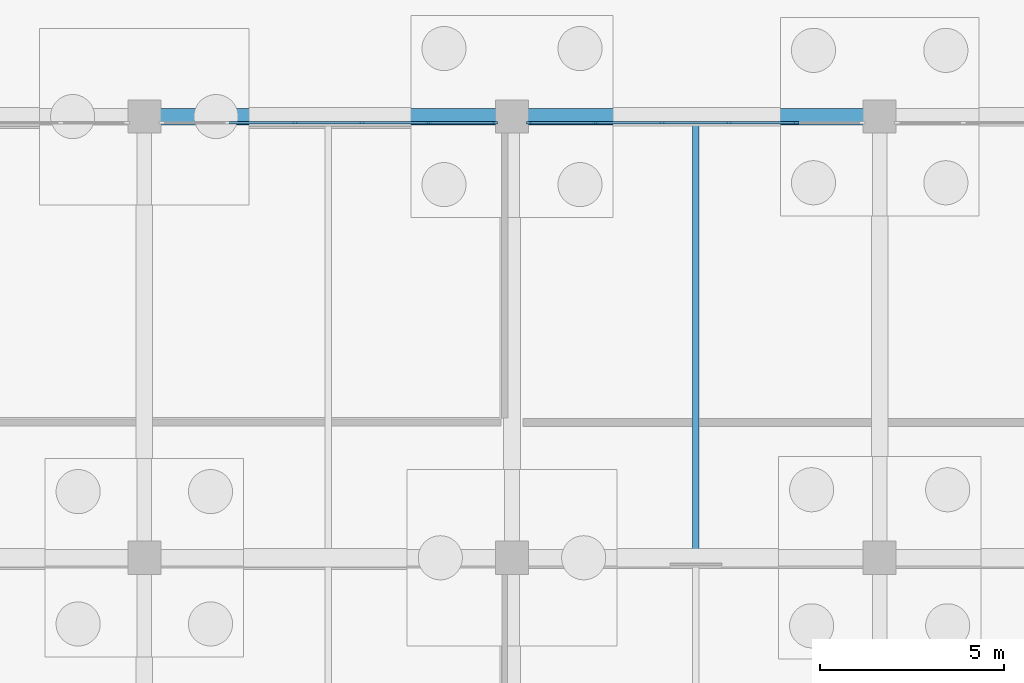
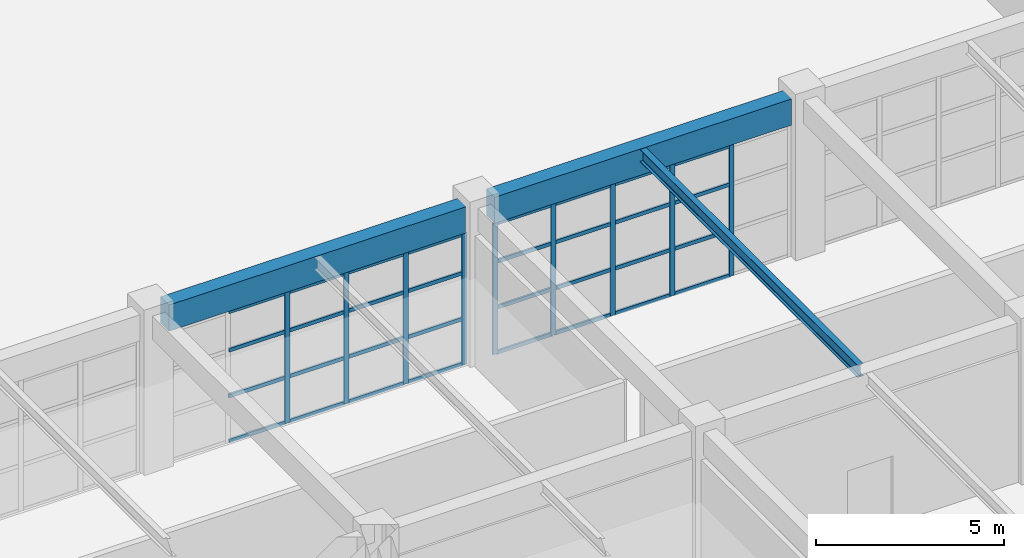
# One storey, part 55 of 99: 41 members, 3 beams, 2 elements without a shape of their own.
"""IFC4 building model written with IfcOpenShell, lengths in metres."""

from ifc_helpers import new_model, si_unit, direction, frame, origin, origin_2d, place, context, subcontext, project, spatial, rectangle, i_section, extrude, material, layer, layer_set, material_profile, profile_set, type_object, element, aggregate, save


model = new_model("IFC4")

# Units and contexts
model_context = context("Model", 3, precision=1e-05, world=origin(), true_north=direction((0.0, 1.0)))
body_context = subcontext(model_context, "Body", "Model", "MODEL_VIEW")
ifc_project = project(units=[si_unit("LENGTHUNIT", "METRE"), si_unit("AREAUNIT", "SQUARE_METRE"), si_unit("VOLUMEUNIT", "CUBIC_METRE"), si_unit("PLANEANGLEUNIT", "RADIAN"), si_unit("MASSUNIT", "GRAM", prefix="KILO")], contexts=[model_context])

# Site, building, storey
site_placement = place(None, origin())
site = spatial("IfcSite", under=ifc_project, at=site_placement, CompositionType="ELEMENT")
building_placement = place(site_placement, origin())
building = spatial("IfcBuilding", under=site, at=building_placement, Name="Kivolera Central Railway Station", CompositionType="ELEMENT")
storey_placement = place(building_placement, origin())
storey = spatial("IfcBuildingStorey", under=building, at=storey_placement, Name="L00", CompositionType="ELEMENT", Elevation=0.0)

# Beams
ifc_material_1 = material(Name="Steel S355", Category="steel")
ifc_material_profile_1 = material_profile(ifc_material_1, i_section(OverallWidth=0.179931640625, OverallDepth=0.39990234375, WebThickness=0.008544921875, FlangeThickness=0.013427734375, FilletRadius=0.02099609375, at=origin_2d()), Name="IPE 400")
ifc_profile_set_1 = profile_set([ifc_material_profile_1], Name="Steel S355")
beam_type_1 = type_object("IfcBeamType", Name="BM-JST-IPE400", PredefinedType="JOIST", material=ifc_profile_set_1)
beam_placement = place(storey_placement, frame((163.0, 66.217041015625, 4.907958984375), z_axis=(0.0, 1.0, 0.0), x_axis=(-1.0, 0.0, 0.0)))
element("IfcBeam", 1, at=beam_placement, inside=storey, type_object=beam_type_1, Name="L00 Floor Joist 16-17/F-G", PredefinedType="JOIST", context=body_context, shape_type="SweptSolid", body=[
    extrude(i_section(OverallWidth=0.179931640625, OverallDepth=0.39990234375, WebThickness=0.008544921875, FlangeThickness=0.013427734375, FilletRadius=0.02099609375, at=origin_2d()), origin(), (0.0, 0.0, 1.0), 11.56591796875),
])
ifc_material_2 = material(Name="Concrete C40/50", Category="concrete")
ifc_material_profile_2 = material_profile(ifc_material_2, rectangle(XDim=0.449951171875, YDim=0.85009765625, at=origin_2d()), Name="RC 450x850")
ifc_profile_set_2 = profile_set([ifc_material_profile_2], Name="Concrete C40/50")
beam_type_2 = type_object("IfcBeamType", Name="BM-RC-450x850", PredefinedType="BEAM", material=ifc_profile_set_2)
for number, where, z_axis, x_axis, name in (
    (2, (148.44189453125, 78.0, 4.695068359375), (1.0, 0.0, 0.0), (0.0, 1.0, 0.0), "L00 Wing X-Beam G:15-16"),
    (3, (158.44189453125, 78.0, 4.695068359375), (1.0, 0.0, 0.0), (0.0, 1.0, 0.0), "L00 Wing X-Beam G:16-17"),
):
    element("IfcBeam", number, at=place(storey_placement, frame(where, z_axis=z_axis, x_axis=x_axis)), inside=storey, type_object=beam_type_2, Name=name, PredefinedType="BEAM", context=body_context, shape_type="SweptSolid", body=[
        extrude(rectangle(XDim=0.449951171875, YDim=0.85009765625, at=origin_2d()), origin(), (0.0, 0.0, 1.0), 9.1162109375),
    ])

# Curtain wall, members
ifc_material_3 = material(Name="Anodised aluminium", Category="aluminium")
ifc_layer = layer(ifc_material_3, 0.179931640625, Name="Anodised aluminium")
ifc_layer_set = layer_set([ifc_layer], Name="Anodised aluminium")
curtain_wall_type = type_object("IfcCurtainWallType", Name="CW-SYS-21", PredefinedType="NOTDEFINED", material=ifc_layer_set)
curtain_wall_1_placement = place(storey_placement, origin())
curtain_wall_1 = element("IfcCurtainWall", 4, at=curtain_wall_1_placement, inside=storey, type_object=curtain_wall_type, Name="L00 Curtain Wall CW-L00-CRTS-148", PredefinedType="NOTDEFINED")
ifc_material_profile_3 = material_profile(ifc_material_3, rectangle(XDim=0.06005859375, YDim=0.14990234375, at=origin_2d()), Name="ALU MULL 60x150")
ifc_profile_set_3 = profile_set([ifc_material_profile_3], Name="Anodised aluminium")
member_type_1 = type_object("IfcMemberType", Name="CWM-MUL-2", PredefinedType="MULLION", material=ifc_profile_set_3)
member_1_placement = place(storey_placement, frame((152.089111328125, 77.830078125, -0.0048828125), z_axis=(0.0, 0.0, 1.0), x_axis=(0.0, 1.0, 0.0)))
member_1 = element("IfcMember", 5, at=member_1_placement, type_object=member_type_1, Name="CW-21 mullion 3", PredefinedType="MULLION", context=body_context, shape_type="SweptSolid", body=[
    extrude(rectangle(XDim=0.06005859375, YDim=0.14990234375, at=origin_2d()), origin(), (0.0, 0.0, 1.0), 4.262939453125),
])
member_2_placement = place(storey_placement, frame((153.910888671875, 77.830078125, -0.0048828125), z_axis=(0.0, 0.0, 1.0), x_axis=(0.0, 1.0, 0.0)))
member_2 = element("IfcMember", 6, at=member_2_placement, type_object=member_type_1, Name="CW-21 mullion 4", PredefinedType="MULLION", context=body_context, shape_type="SweptSolid", body=[
    extrude(rectangle(XDim=0.06005859375, YDim=0.14990234375, at=origin_2d()), origin(), (0.0, 0.0, 1.0), 4.262939453125),
])
member_3_placement = place(storey_placement, frame((155.73291015625, 77.830078125, -0.0048828125), z_axis=(0.0, 0.0, 1.0), x_axis=(0.0, 1.0, 0.0)))
member_3 = element("IfcMember", 7, at=member_3_placement, type_object=member_type_1, Name="CW-21 mullion 5", PredefinedType="MULLION", context=body_context, shape_type="SweptSolid", body=[
    extrude(rectangle(XDim=0.06005859375, YDim=0.14990234375, at=origin_2d()), origin(), (0.0, 0.0, 1.0), 4.262939453125),
])
member_4_placement = place(storey_placement, frame((157.52490234375, 77.830078125, -0.0048828125), z_axis=(0.0, 0.0, 1.0), x_axis=(0.0, 1.0, 0.0)))
member_4 = element("IfcMember", 8, at=member_4_placement, type_object=member_type_1, Name="CW-21 mullion 6", PredefinedType="MULLION", context=body_context, shape_type="SweptSolid", body=[
    extrude(rectangle(XDim=0.06005859375, YDim=0.14990234375, at=origin_2d()), origin(), (0.0, 0.0, 1.0), 4.262939453125),
])

curtain_wall_2_placement = place(storey_placement, origin())
curtain_wall_2 = element("IfcCurtainWall", 9, at=curtain_wall_2_placement, inside=storey, type_object=curtain_wall_type, Name="L00 Curtain Wall CW-L00-CRTS-158", PredefinedType="NOTDEFINED")
member_5_placement = place(storey_placement, frame((158.47509765625, 77.830078125, -0.0048828125), z_axis=(0.0, 0.0, 1.0), x_axis=(0.0, 1.0, 0.0)))
member_5 = element("IfcMember", 10, at=member_5_placement, type_object=member_type_1, Name="CW-21 mullion 1", PredefinedType="MULLION", context=body_context, shape_type="SweptSolid", body=[
    extrude(rectangle(XDim=0.06005859375, YDim=0.14990234375, at=origin_2d()), origin(), (0.0, 0.0, 1.0), 4.262939453125),
])
member_6_placement = place(storey_placement, frame((160.26708984375, 77.830078125, -0.0048828125), z_axis=(0.0, 0.0, 1.0), x_axis=(0.0, 1.0, 0.0)))
member_6 = element("IfcMember", 11, at=member_6_placement, type_object=member_type_1, Name="CW-21 mullion 2", PredefinedType="MULLION", context=body_context, shape_type="SweptSolid", body=[
    extrude(rectangle(XDim=0.06005859375, YDim=0.14990234375, at=origin_2d()), origin(), (0.0, 0.0, 1.0), 4.262939453125),
])
member_7_placement = place(storey_placement, frame((162.089111328125, 77.830078125, -0.0048828125), z_axis=(0.0, 0.0, 1.0), x_axis=(0.0, 1.0, 0.0)))
member_7 = element("IfcMember", 12, at=member_7_placement, type_object=member_type_1, Name="CW-21 mullion 3", PredefinedType="MULLION", context=body_context, shape_type="SweptSolid", body=[
    extrude(rectangle(XDim=0.06005859375, YDim=0.14990234375, at=origin_2d()), origin(), (0.0, 0.0, 1.0), 4.262939453125),
])
member_8_placement = place(storey_placement, frame((163.910888671875, 77.830078125, -0.0048828125), z_axis=(0.0, 0.0, 1.0), x_axis=(0.0, 1.0, 0.0)))
member_8 = element("IfcMember", 13, at=member_8_placement, type_object=member_type_1, Name="CW-21 mullion 4", PredefinedType="MULLION", context=body_context, shape_type="SweptSolid", body=[
    extrude(rectangle(XDim=0.06005859375, YDim=0.14990234375, at=origin_2d()), origin(), (0.0, 0.0, 1.0), 4.262939453125),
])
member_9_placement = place(storey_placement, frame((165.73291015625, 77.830078125, -0.0048828125), z_axis=(0.0, 0.0, 1.0), x_axis=(0.0, 1.0, 0.0)))
member_9 = element("IfcMember", 14, at=member_9_placement, type_object=member_type_1, Name="CW-21 mullion 5", PredefinedType="MULLION", context=body_context, shape_type="SweptSolid", body=[
    extrude(rectangle(XDim=0.06005859375, YDim=0.14990234375, at=origin_2d()), origin(), (0.0, 0.0, 1.0), 4.262939453125),
])

# Member
ifc_material_profile_4 = material_profile(ifc_material_3, rectangle(XDim=0.06005859375, YDim=0.1201171875, at=origin_2d()), Name="ALU TRAN 60x120")
ifc_profile_set_4 = profile_set([ifc_material_profile_4], Name="Anodised aluminium")
member_type_2 = type_object("IfcMemberType", Name="CWM-TRN-2", PredefinedType="USERDEFINED", material=ifc_profile_set_4)
member_10_placement = place(storey_placement, frame((150.297119140625, 77.830078125, 0.030029296875), z_axis=(1.0, 0.0, 0.0), x_axis=(0.0, 1.0, 0.0)))
member_10 = element("IfcMember", 15, at=member_10_placement, type_object=member_type_2, Name="CW-21 transom 2.1", ObjectType="TRANSOM", PredefinedType="USERDEFINED", context=body_context, shape_type="SweptSolid", body=[
    extrude(rectangle(XDim=0.06005859375, YDim=0.1201171875, at=origin_2d()), origin(), (0.0, 0.0, 1.0), 1.761962890625),
])

member_11_placement = place(storey_placement, frame((150.297119140625, 77.830078125, 1.490234375), z_axis=(1.0, 0.0, 0.0), x_axis=(0.0, 1.0, 0.0)))
member_11 = element("IfcMember", 16, at=member_11_placement, type_object=member_type_2, Name="CW-21 transom 2.2", ObjectType="TRANSOM", PredefinedType="USERDEFINED", context=body_context, shape_type="SweptSolid", body=[
    extrude(rectangle(XDim=0.06005859375, YDim=0.1201171875, at=origin_2d()), origin(), (0.0, 0.0, 1.0), 1.761962890625),
])

member_12_placement = place(storey_placement, frame((150.297119140625, 77.830078125, 2.980712890625), z_axis=(1.0, 0.0, 0.0), x_axis=(0.0, 1.0, 0.0)))
member_12 = element("IfcMember", 17, at=member_12_placement, type_object=member_type_2, Name="CW-21 transom 2.3", ObjectType="TRANSOM", PredefinedType="USERDEFINED", context=body_context, shape_type="SweptSolid", body=[
    extrude(rectangle(XDim=0.06005859375, YDim=0.1201171875, at=origin_2d()), origin(), (0.0, 0.0, 1.0), 1.761962890625),
])

member_13_placement = place(storey_placement, frame((150.297119140625, 77.830078125, 4.22802734375), z_axis=(1.0, 0.0, 0.0), x_axis=(0.0, 1.0, 0.0)))
member_13 = element("IfcMember", 18, at=member_13_placement, type_object=member_type_2, Name="CW-21 transom 2.4", ObjectType="TRANSOM", PredefinedType="USERDEFINED", context=body_context, shape_type="SweptSolid", body=[
    extrude(rectangle(XDim=0.06005859375, YDim=0.1201171875, at=origin_2d()), origin(), (0.0, 0.0, 1.0), 1.761962890625),
])

member_14_placement = place(storey_placement, frame((152.118896484375, 77.830078125, 0.030029296875), z_axis=(1.0, 0.0, 0.0), x_axis=(0.0, 1.0, 0.0)))
member_14 = element("IfcMember", 19, at=member_14_placement, type_object=member_type_2, Name="CW-21 transom 3.1", ObjectType="TRANSOM", PredefinedType="USERDEFINED", context=body_context, shape_type="SweptSolid", body=[
    extrude(rectangle(XDim=0.06005859375, YDim=0.1201171875, at=origin_2d()), origin(), (0.0, 0.0, 1.0), 1.76220703125),
])

member_15_placement = place(storey_placement, frame((152.118896484375, 77.830078125, 1.490234375), z_axis=(1.0, 0.0, 0.0), x_axis=(0.0, 1.0, 0.0)))
member_15 = element("IfcMember", 20, at=member_15_placement, type_object=member_type_2, Name="CW-21 transom 3.2", ObjectType="TRANSOM", PredefinedType="USERDEFINED", context=body_context, shape_type="SweptSolid", body=[
    extrude(rectangle(XDim=0.06005859375, YDim=0.1201171875, at=origin_2d()), origin(), (0.0, 0.0, 1.0), 1.76220703125),
])

member_16_placement = place(storey_placement, frame((152.118896484375, 77.830078125, 2.980712890625), z_axis=(1.0, 0.0, 0.0), x_axis=(0.0, 1.0, 0.0)))
member_16 = element("IfcMember", 21, at=member_16_placement, type_object=member_type_2, Name="CW-21 transom 3.3", ObjectType="TRANSOM", PredefinedType="USERDEFINED", context=body_context, shape_type="SweptSolid", body=[
    extrude(rectangle(XDim=0.06005859375, YDim=0.1201171875, at=origin_2d()), origin(), (0.0, 0.0, 1.0), 1.76220703125),
])

member_17_placement = place(storey_placement, frame((152.118896484375, 77.830078125, 4.22802734375), z_axis=(1.0, 0.0, 0.0), x_axis=(0.0, 1.0, 0.0)))
member_17 = element("IfcMember", 22, at=member_17_placement, type_object=member_type_2, Name="CW-21 transom 3.4", ObjectType="TRANSOM", PredefinedType="USERDEFINED", context=body_context, shape_type="SweptSolid", body=[
    extrude(rectangle(XDim=0.06005859375, YDim=0.1201171875, at=origin_2d()), origin(), (0.0, 0.0, 1.0), 1.76220703125),
])

member_18_placement = place(storey_placement, frame((153.94091796875, 77.830078125, 0.030029296875), z_axis=(1.0, 0.0, 0.0), x_axis=(0.0, 1.0, 0.0)))
member_18 = element("IfcMember", 23, at=member_18_placement, type_object=member_type_2, Name="CW-21 transom 4.1", ObjectType="TRANSOM", PredefinedType="USERDEFINED", context=body_context, shape_type="SweptSolid", body=[
    extrude(rectangle(XDim=0.06005859375, YDim=0.1201171875, at=origin_2d()), origin(), (0.0, 0.0, 1.0), 1.761962890625),
])

member_19_placement = place(storey_placement, frame((153.94091796875, 77.830078125, 1.490234375), z_axis=(1.0, 0.0, 0.0), x_axis=(0.0, 1.0, 0.0)))
member_19 = element("IfcMember", 24, at=member_19_placement, type_object=member_type_2, Name="CW-21 transom 4.2", ObjectType="TRANSOM", PredefinedType="USERDEFINED", context=body_context, shape_type="SweptSolid", body=[
    extrude(rectangle(XDim=0.06005859375, YDim=0.1201171875, at=origin_2d()), origin(), (0.0, 0.0, 1.0), 1.761962890625),
])

member_20_placement = place(storey_placement, frame((153.94091796875, 77.830078125, 2.980712890625), z_axis=(1.0, 0.0, 0.0), x_axis=(0.0, 1.0, 0.0)))
member_20 = element("IfcMember", 25, at=member_20_placement, type_object=member_type_2, Name="CW-21 transom 4.3", ObjectType="TRANSOM", PredefinedType="USERDEFINED", context=body_context, shape_type="SweptSolid", body=[
    extrude(rectangle(XDim=0.06005859375, YDim=0.1201171875, at=origin_2d()), origin(), (0.0, 0.0, 1.0), 1.761962890625),
])

member_21_placement = place(storey_placement, frame((153.94091796875, 77.830078125, 4.22802734375), z_axis=(1.0, 0.0, 0.0), x_axis=(0.0, 1.0, 0.0)))
member_21 = element("IfcMember", 26, at=member_21_placement, type_object=member_type_2, Name="CW-21 transom 4.4", ObjectType="TRANSOM", PredefinedType="USERDEFINED", context=body_context, shape_type="SweptSolid", body=[
    extrude(rectangle(XDim=0.06005859375, YDim=0.1201171875, at=origin_2d()), origin(), (0.0, 0.0, 1.0), 1.761962890625),
])

member_22_placement = place(storey_placement, frame((155.762939453125, 77.830078125, 0.030029296875), z_axis=(1.0, 0.0, 0.0), x_axis=(0.0, 1.0, 0.0)))
member_22 = element("IfcMember", 27, at=member_22_placement, type_object=member_type_2, Name="CW-21 transom 5.1", ObjectType="TRANSOM", PredefinedType="USERDEFINED", context=body_context, shape_type="SweptSolid", body=[
    extrude(rectangle(XDim=0.06005859375, YDim=0.1201171875, at=origin_2d()), origin(), (0.0, 0.0, 1.0), 1.732177734375),
])

member_23_placement = place(storey_placement, frame((155.762939453125, 77.830078125, 1.490234375), z_axis=(1.0, 0.0, 0.0), x_axis=(0.0, 1.0, 0.0)))
member_23 = element("IfcMember", 28, at=member_23_placement, type_object=member_type_2, Name="CW-21 transom 5.2", ObjectType="TRANSOM", PredefinedType="USERDEFINED", context=body_context, shape_type="SweptSolid", body=[
    extrude(rectangle(XDim=0.06005859375, YDim=0.1201171875, at=origin_2d()), origin(), (0.0, 0.0, 1.0), 1.732177734375),
])

member_24_placement = place(storey_placement, frame((155.762939453125, 77.830078125, 2.980712890625), z_axis=(1.0, 0.0, 0.0), x_axis=(0.0, 1.0, 0.0)))
member_24 = element("IfcMember", 29, at=member_24_placement, type_object=member_type_2, Name="CW-21 transom 5.3", ObjectType="TRANSOM", PredefinedType="USERDEFINED", context=body_context, shape_type="SweptSolid", body=[
    extrude(rectangle(XDim=0.06005859375, YDim=0.1201171875, at=origin_2d()), origin(), (0.0, 0.0, 1.0), 1.732177734375),
])

member_25_placement = place(storey_placement, frame((155.762939453125, 77.830078125, 4.22802734375), z_axis=(1.0, 0.0, 0.0), x_axis=(0.0, 1.0, 0.0)))
member_25 = element("IfcMember", 30, at=member_25_placement, type_object=member_type_2, Name="CW-21 transom 5.4", ObjectType="TRANSOM", PredefinedType="USERDEFINED", context=body_context, shape_type="SweptSolid", body=[
    extrude(rectangle(XDim=0.06005859375, YDim=0.1201171875, at=origin_2d()), origin(), (0.0, 0.0, 1.0), 1.732177734375),
])

aggregate(curtain_wall_1, [member_1, member_2, member_3, member_4, member_10, member_11, member_12, member_13, member_14, member_15, member_16, member_17, member_18, member_19, member_20, member_21, member_22, member_23, member_24, member_25])

member_26_placement = place(storey_placement, frame((158.5048828125, 77.830078125, 0.030029296875), z_axis=(1.0, 0.0, 0.0), x_axis=(0.0, 1.0, 0.0)))
member_26 = element("IfcMember", 31, at=member_26_placement, type_object=member_type_2, Name="CW-21 transom 1.1", ObjectType="TRANSOM", PredefinedType="USERDEFINED", context=body_context, shape_type="SweptSolid", body=[
    extrude(rectangle(XDim=0.06005859375, YDim=0.1201171875, at=origin_2d()), origin(), (0.0, 0.0, 1.0), 1.732177734375),
])

member_27_placement = place(storey_placement, frame((158.5048828125, 77.830078125, 1.490234375), z_axis=(1.0, 0.0, 0.0), x_axis=(0.0, 1.0, 0.0)))
member_27 = element("IfcMember", 32, at=member_27_placement, type_object=member_type_2, Name="CW-21 transom 1.2", ObjectType="TRANSOM", PredefinedType="USERDEFINED", context=body_context, shape_type="SweptSolid", body=[
    extrude(rectangle(XDim=0.06005859375, YDim=0.1201171875, at=origin_2d()), origin(), (0.0, 0.0, 1.0), 1.732177734375),
])

member_28_placement = place(storey_placement, frame((158.5048828125, 77.830078125, 2.980712890625), z_axis=(1.0, 0.0, 0.0), x_axis=(0.0, 1.0, 0.0)))
member_28 = element("IfcMember", 33, at=member_28_placement, type_object=member_type_2, Name="CW-21 transom 1.3", ObjectType="TRANSOM", PredefinedType="USERDEFINED", context=body_context, shape_type="SweptSolid", body=[
    extrude(rectangle(XDim=0.06005859375, YDim=0.1201171875, at=origin_2d()), origin(), (0.0, 0.0, 1.0), 1.732177734375),
])

member_29_placement = place(storey_placement, frame((158.5048828125, 77.830078125, 4.22802734375), z_axis=(1.0, 0.0, 0.0), x_axis=(0.0, 1.0, 0.0)))
member_29 = element("IfcMember", 34, at=member_29_placement, type_object=member_type_2, Name="CW-21 transom 1.4", ObjectType="TRANSOM", PredefinedType="USERDEFINED", context=body_context, shape_type="SweptSolid", body=[
    extrude(rectangle(XDim=0.06005859375, YDim=0.1201171875, at=origin_2d()), origin(), (0.0, 0.0, 1.0), 1.732177734375),
])

member_30_placement = place(storey_placement, frame((160.297119140625, 77.830078125, 0.030029296875), z_axis=(1.0, 0.0, 0.0), x_axis=(0.0, 1.0, 0.0)))
member_30 = element("IfcMember", 35, at=member_30_placement, type_object=member_type_2, Name="CW-21 transom 2.1", ObjectType="TRANSOM", PredefinedType="USERDEFINED", context=body_context, shape_type="SweptSolid", body=[
    extrude(rectangle(XDim=0.06005859375, YDim=0.1201171875, at=origin_2d()), origin(), (0.0, 0.0, 1.0), 1.761962890625),
])

member_31_placement = place(storey_placement, frame((160.297119140625, 77.830078125, 1.490234375), z_axis=(1.0, 0.0, 0.0), x_axis=(0.0, 1.0, 0.0)))
member_31 = element("IfcMember", 36, at=member_31_placement, type_object=member_type_2, Name="CW-21 transom 2.2", ObjectType="TRANSOM", PredefinedType="USERDEFINED", context=body_context, shape_type="SweptSolid", body=[
    extrude(rectangle(XDim=0.06005859375, YDim=0.1201171875, at=origin_2d()), origin(), (0.0, 0.0, 1.0), 1.761962890625),
])

member_32_placement = place(storey_placement, frame((160.297119140625, 77.830078125, 2.980712890625), z_axis=(1.0, 0.0, 0.0), x_axis=(0.0, 1.0, 0.0)))
member_32 = element("IfcMember", 37, at=member_32_placement, type_object=member_type_2, Name="CW-21 transom 2.3", ObjectType="TRANSOM", PredefinedType="USERDEFINED", context=body_context, shape_type="SweptSolid", body=[
    extrude(rectangle(XDim=0.06005859375, YDim=0.1201171875, at=origin_2d()), origin(), (0.0, 0.0, 1.0), 1.761962890625),
])

member_33_placement = place(storey_placement, frame((160.297119140625, 77.830078125, 4.22802734375), z_axis=(1.0, 0.0, 0.0), x_axis=(0.0, 1.0, 0.0)))
member_33 = element("IfcMember", 38, at=member_33_placement, type_object=member_type_2, Name="CW-21 transom 2.4", ObjectType="TRANSOM", PredefinedType="USERDEFINED", context=body_context, shape_type="SweptSolid", body=[
    extrude(rectangle(XDim=0.06005859375, YDim=0.1201171875, at=origin_2d()), origin(), (0.0, 0.0, 1.0), 1.761962890625),
])

member_34_placement = place(storey_placement, frame((162.118896484375, 77.830078125, 0.030029296875), z_axis=(1.0, 0.0, 0.0), x_axis=(0.0, 1.0, 0.0)))
member_34 = element("IfcMember", 39, at=member_34_placement, type_object=member_type_2, Name="CW-21 transom 3.1", ObjectType="TRANSOM", PredefinedType="USERDEFINED", context=body_context, shape_type="SweptSolid", body=[
    extrude(rectangle(XDim=0.06005859375, YDim=0.1201171875, at=origin_2d()), origin(), (0.0, 0.0, 1.0), 1.76220703125),
])

member_35_placement = place(storey_placement, frame((162.118896484375, 77.830078125, 1.490234375), z_axis=(1.0, 0.0, 0.0), x_axis=(0.0, 1.0, 0.0)))
member_35 = element("IfcMember", 40, at=member_35_placement, type_object=member_type_2, Name="CW-21 transom 3.2", ObjectType="TRANSOM", PredefinedType="USERDEFINED", context=body_context, shape_type="SweptSolid", body=[
    extrude(rectangle(XDim=0.06005859375, YDim=0.1201171875, at=origin_2d()), origin(), (0.0, 0.0, 1.0), 1.76220703125),
])

member_36_placement = place(storey_placement, frame((162.118896484375, 77.830078125, 2.980712890625), z_axis=(1.0, 0.0, 0.0), x_axis=(0.0, 1.0, 0.0)))
member_36 = element("IfcMember", 41, at=member_36_placement, type_object=member_type_2, Name="CW-21 transom 3.3", ObjectType="TRANSOM", PredefinedType="USERDEFINED", context=body_context, shape_type="SweptSolid", body=[
    extrude(rectangle(XDim=0.06005859375, YDim=0.1201171875, at=origin_2d()), origin(), (0.0, 0.0, 1.0), 1.76220703125),
])

member_37_placement = place(storey_placement, frame((162.118896484375, 77.830078125, 4.22802734375), z_axis=(1.0, 0.0, 0.0), x_axis=(0.0, 1.0, 0.0)))
member_37 = element("IfcMember", 42, at=member_37_placement, type_object=member_type_2, Name="CW-21 transom 3.4", ObjectType="TRANSOM", PredefinedType="USERDEFINED", context=body_context, shape_type="SweptSolid", body=[
    extrude(rectangle(XDim=0.06005859375, YDim=0.1201171875, at=origin_2d()), origin(), (0.0, 0.0, 1.0), 1.76220703125),
])

member_38_placement = place(storey_placement, frame((163.94091796875, 77.830078125, 0.030029296875), z_axis=(1.0, 0.0, 0.0), x_axis=(0.0, 1.0, 0.0)))
member_38 = element("IfcMember", 43, at=member_38_placement, type_object=member_type_2, Name="CW-21 transom 4.1", ObjectType="TRANSOM", PredefinedType="USERDEFINED", context=body_context, shape_type="SweptSolid", body=[
    extrude(rectangle(XDim=0.06005859375, YDim=0.1201171875, at=origin_2d()), origin(), (0.0, 0.0, 1.0), 1.761962890625),
])

member_39_placement = place(storey_placement, frame((163.94091796875, 77.830078125, 1.490234375), z_axis=(1.0, 0.0, 0.0), x_axis=(0.0, 1.0, 0.0)))
member_39 = element("IfcMember", 44, at=member_39_placement, type_object=member_type_2, Name="CW-21 transom 4.2", ObjectType="TRANSOM", PredefinedType="USERDEFINED", context=body_context, shape_type="SweptSolid", body=[
    extrude(rectangle(XDim=0.06005859375, YDim=0.1201171875, at=origin_2d()), origin(), (0.0, 0.0, 1.0), 1.761962890625),
])

member_40_placement = place(storey_placement, frame((163.94091796875, 77.830078125, 2.980712890625), z_axis=(1.0, 0.0, 0.0), x_axis=(0.0, 1.0, 0.0)))
member_40 = element("IfcMember", 45, at=member_40_placement, type_object=member_type_2, Name="CW-21 transom 4.3", ObjectType="TRANSOM", PredefinedType="USERDEFINED", context=body_context, shape_type="SweptSolid", body=[
    extrude(rectangle(XDim=0.06005859375, YDim=0.1201171875, at=origin_2d()), origin(), (0.0, 0.0, 1.0), 1.761962890625),
])

member_41_placement = place(storey_placement, frame((163.94091796875, 77.830078125, 4.22802734375), z_axis=(1.0, 0.0, 0.0), x_axis=(0.0, 1.0, 0.0)))
member_41 = element("IfcMember", 46, at=member_41_placement, type_object=member_type_2, Name="CW-21 transom 4.4", ObjectType="TRANSOM", PredefinedType="USERDEFINED", context=body_context, shape_type="SweptSolid", body=[
    extrude(rectangle(XDim=0.06005859375, YDim=0.1201171875, at=origin_2d()), origin(), (0.0, 0.0, 1.0), 1.761962890625),
])

aggregate(curtain_wall_2, [member_5, member_6, member_7, member_8, member_9, member_26, member_27, member_28, member_29, member_30, member_31, member_32, member_33, member_34, member_35, member_36, member_37, member_38, member_39, member_40, member_41])

save(model, "model.ifc")
